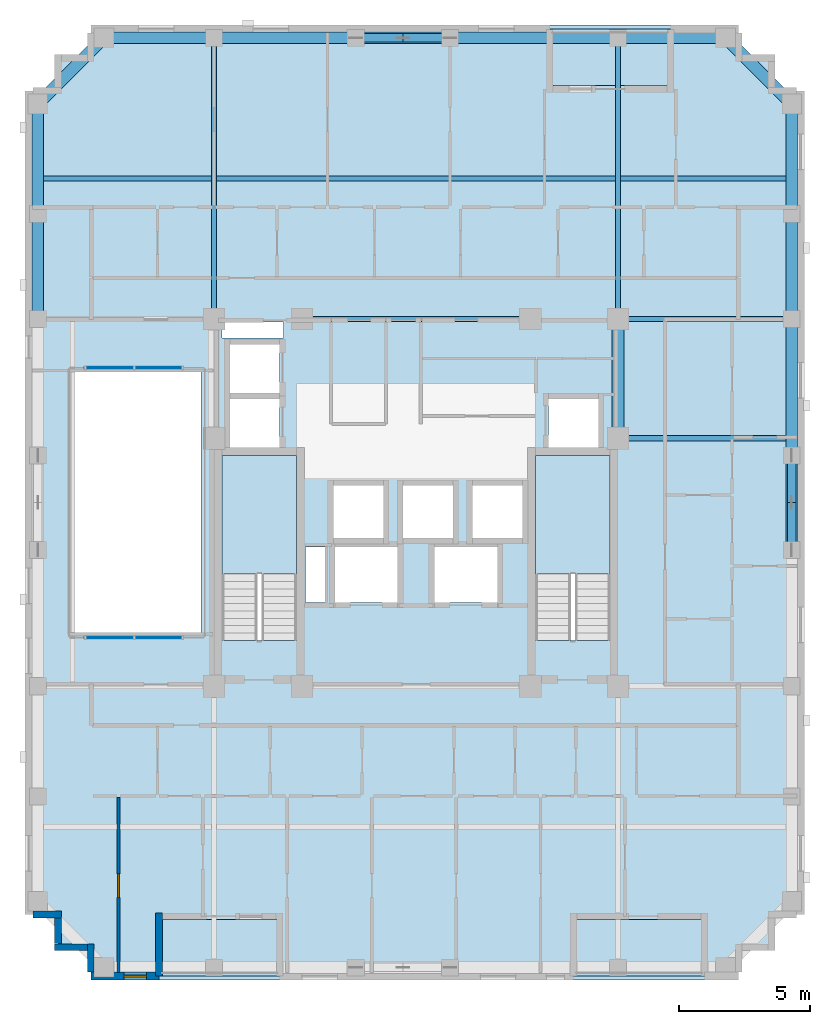
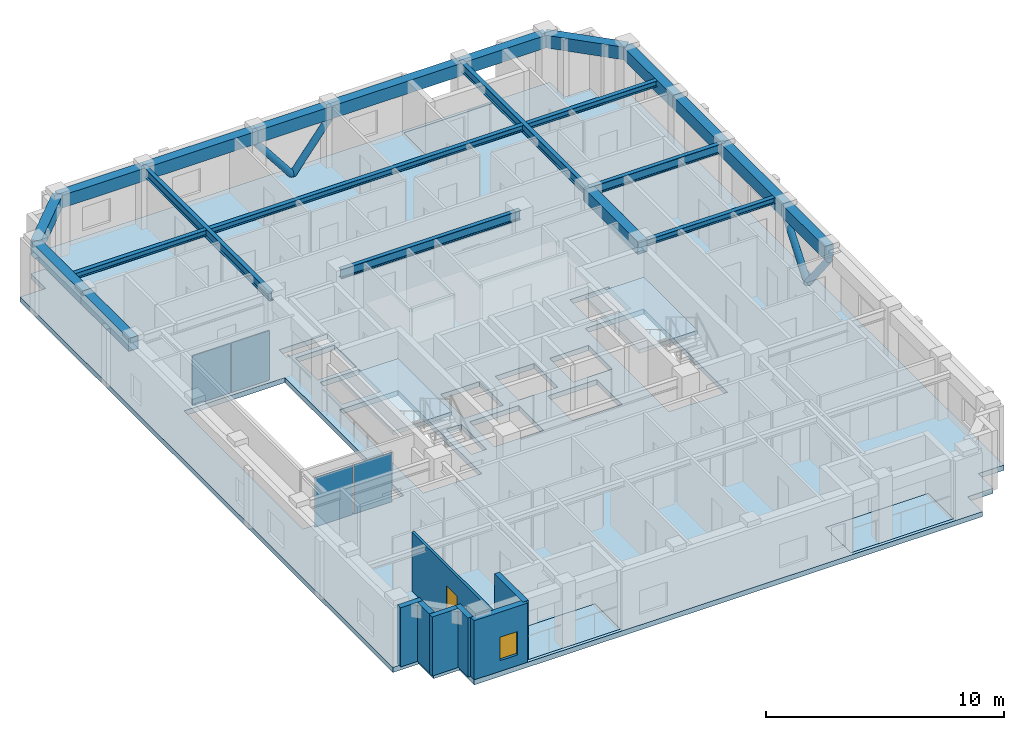
# One storey, part 3 of 13: 22 beams, 7 walls, 6 slabs, 4 members, 4 plates, 1 door, 1 window, 2 openings, 4 elements without a shape of their own.
"""IFC4 building model written with IfcOpenShell, lengths in metres."""

from ifc_helpers import new_model, si_unit, derived_unit, direction, frame, frame_2d, origin, origin_2d, place, context, subcontext, project, spatial, polyline, rectangle, hollow_circle, i_section, outline, extrude, material, layer, layer_set, material_profile, profile_set, type_object, element, fill, aggregate, save


model = new_model("IFC4")

# Units and contexts
model_context = context("Model", 3, precision=1e-05, world=origin(), true_north=direction((0.0, 1.0)))
body_context = subcontext(model_context, "Body", "Model", "MODEL_VIEW")
ifc_project = project(units=[si_unit("LENGTHUNIT", "METRE"), si_unit("AREAUNIT", "SQUARE_METRE"), si_unit("VOLUMEUNIT", "CUBIC_METRE"), si_unit("PLANEANGLEUNIT", "RADIAN"), si_unit("MASSUNIT", "GRAM", prefix="KILO"), derived_unit("THERMALTRANSMITTANCEUNIT", [(si_unit("MASSUNIT", "GRAM", prefix="KILO"), 1), (si_unit("TIMEUNIT", "SECOND"), -3), (si_unit("THERMODYNAMICTEMPERATUREUNIT", "KELVIN"), -1)])], contexts=[model_context])

# Site, building, storey
site_placement = place(None, origin())
site = spatial("IfcSite", under=ifc_project, at=site_placement, CompositionType="ELEMENT")
building_placement = place(site_placement, origin())
building = spatial("IfcBuilding", under=site, at=building_placement, Name="Korrvale Station Residences", CompositionType="ELEMENT")
storey_placement = place(building_placement, frame((0.0, 0.0, 177.699951171875)))
storey = spatial("IfcBuildingStorey", under=building, at=storey_placement, Name="L51", CompositionType="ELEMENT", Elevation=177.699951171875)

# Beams
ifc_material_1 = material(Name="Steel S355", Category="steel")
ifc_material_profile_1 = material_profile(ifc_material_1, i_section(OverallWidth=0.194091796875, OverallDepth=0.468994140625, WebThickness=0.0126953125, FlangeThickness=0.0205078125, FilletRadius=0.01611328125, at=origin_2d()), Name="W460x106")
ifc_profile_set_1 = profile_set([ifc_material_profile_1], Name="Steel S355")
beam_type_1 = type_object("IfcBeamType", Name="BM-BM-W460x106-S355", PredefinedType="BEAM", material=ifc_profile_set_1)
for number, where, z_axis, x_axis, name in (
    (1, (17.800048828125, 29.0, 2.8056640625), (0.0, 1.0, 0.0), (-1.0, 0.0, 0.0), "L51 Bundled-Tube Web Girder 03"),
    (2, (33.199951171875, 29.0, 2.8056640625), (0.0, 1.0, 0.0), (-1.0, 0.0, 0.0), "L51 Bundled-Tube Web Girder 04"),
):
    element("IfcBeam", number, at=place(storey_placement, frame(where, z_axis=z_axis, x_axis=x_axis)), inside=storey, type_object=beam_type_1, Name=name, PredefinedType="BEAM", context=body_context, shape_type="SweptSolid", body=[
        extrude(i_section(OverallWidth=0.194091796875, OverallDepth=0.468994140625, WebThickness=0.0126953125, FlangeThickness=0.0205078125, FilletRadius=0.01611328125, at=origin_2d()), origin(), (0.0, 0.0, 1.0), 10.719970703125),
    ])
beam_1_placement = place(storey_placement, frame((33.199951171875, 29.0, 2.8056640625), z_axis=(1.0, 0.0, 0.0), x_axis=(0.0, 1.0, 0.0)))
element("IfcBeam", 3, at=beam_1_placement, inside=storey, type_object=beam_type_1, Name="L51 Bundled-Tube Web Girder 08", PredefinedType="BEAM", context=body_context, shape_type="SweptSolid", body=[
    extrude(i_section(OverallWidth=0.194091796875, OverallDepth=0.468994140625, WebThickness=0.0126953125, FlangeThickness=0.0205078125, FilletRadius=0.01611328125, at=origin_2d()), origin(), (0.0, 0.0, 1.0), 6.6201171875),
])
beam_2_placement = place(storey_placement, frame((21.14990234375, 29.0, 2.8056640625), z_axis=(1.0, 0.0, 0.0), x_axis=(0.0, 1.0, 0.0)))
element("IfcBeam", 4, at=beam_2_placement, inside=storey, type_object=beam_type_1, Name="L51 Bundled-Tube Web Girder 10", PredefinedType="BEAM", context=body_context, shape_type="SweptSolid", body=[
    extrude(i_section(OverallWidth=0.194091796875, OverallDepth=0.468994140625, WebThickness=0.0126953125, FlangeThickness=0.0205078125, FilletRadius=0.01611328125, at=origin_2d()), origin(), (0.0, 0.0, 1.0), 8.7001953125),
])
ifc_material_profile_2 = material_profile(ifc_material_1, i_section(OverallWidth=0.202880859375, OverallDepth=0.302978515625, WebThickness=0.007568359375, FlangeThickness=0.01318359375, FilletRadius=0.014892578125, at=origin_2d()), Name="W310x60")
ifc_profile_set_2 = profile_set([ifc_material_profile_2], Name="Steel S355")
beam_type_2 = type_object("IfcBeamType", Name="BM-JST-W310x60-S355", PredefinedType="JOIST", material=ifc_profile_set_2)
beam_3_placement = place(storey_placement, frame((11.304931640625, 34.360107421875, 2.888427734375), z_axis=(1.0, 0.0, 0.0), x_axis=(0.0, 1.0, 0.0)))
element("IfcBeam", 5, at=beam_3_placement, inside=storey, type_object=beam_type_2, Name="L51 Floor Framing Joist 04", PredefinedType="JOIST", context=body_context, shape_type="SweptSolid", body=[
    extrude(i_section(OverallWidth=0.202880859375, OverallDepth=0.302978515625, WebThickness=0.007568359375, FlangeThickness=0.01318359375, FilletRadius=0.014892578125, at=origin_2d()), origin(), (0.0, 0.0, 1.0), 6.39794921875),
])
beam_4_placement = place(storey_placement, frame((17.89697265625, 34.360107421875, 2.888427734375), z_axis=(1.0, 0.0, 0.0), x_axis=(0.0, 1.0, 0.0)))
element("IfcBeam", 6, at=beam_4_placement, inside=storey, type_object=beam_type_2, Name="L51 Floor Framing Joist 05", PredefinedType="JOIST", context=body_context, shape_type="SweptSolid", body=[
    extrude(i_section(OverallWidth=0.202880859375, OverallDepth=0.302978515625, WebThickness=0.007568359375, FlangeThickness=0.01318359375, FilletRadius=0.014892578125, at=origin_2d()), origin(), (0.0, 0.0, 1.0), 15.2060546875),
])
beam_5_placement = place(storey_placement, frame((33.297119140625, 34.360107421875, 2.888427734375), z_axis=(1.0, 0.0, 0.0), x_axis=(0.0, 1.0, 0.0)))
element("IfcBeam", 7, at=beam_5_placement, inside=storey, type_object=beam_type_2, Name="L51 Floor Framing Joist 06", PredefinedType="JOIST", context=body_context, shape_type="SweptSolid", body=[
    extrude(i_section(OverallWidth=0.202880859375, OverallDepth=0.302978515625, WebThickness=0.007568359375, FlangeThickness=0.01318359375, FilletRadius=0.014892578125, at=origin_2d()), origin(), (0.0, 0.0, 1.0), 6.2978515625),
])
beam_6_placement = place(storey_placement, frame((33.425048828125, 24.449951171875, 2.888427734375), z_axis=(1.0, 0.0, 0.0), x_axis=(0.0, 1.0, 0.0)))
element("IfcBeam", 8, at=beam_6_placement, inside=storey, type_object=beam_type_2, Name="L51 Floor Framing Joist 07", PredefinedType="JOIST", context=body_context, shape_type="SweptSolid", body=[
    extrude(i_section(OverallWidth=0.202880859375, OverallDepth=0.302978515625, WebThickness=0.007568359375, FlangeThickness=0.01318359375, FilletRadius=0.014892578125, at=origin_2d()), origin(), (0.0, 0.0, 1.0), 6.169921875),
])
ifc_material_2 = material(Name="Concrete C50/60", Category="concrete")
ifc_material_profile_3 = material_profile(ifc_material_2, rectangle(XDim=0.449951171875, YDim=0.64990234375, at=origin_2d()), Name="RCB450x650")
ifc_profile_set_3 = profile_set([ifc_material_profile_3], Name="Concrete C50/60")
beam_type_3 = type_object("IfcBeamType", Name="BM-LNT-RCB450x650-C5060", PredefinedType="LINTEL", material=ifc_profile_set_3)
beam_7_placement = place(storey_placement, frame((33.199951171875, 24.449951171875, 2.715087890625), z_axis=(0.0, 1.0, 0.0), x_axis=(-1.0, 0.0, 0.0)))
element("IfcBeam", 9, at=beam_7_placement, inside=storey, type_object=beam_type_3, Name="L51 Core Coupling Lintel 2", PredefinedType="LINTEL", context=body_context, shape_type="SweptSolid", body=[
    extrude(rectangle(XDim=0.449951171875, YDim=0.64990234375, at=origin_2d()), origin(), (0.0, 0.0, 1.0), 4.550048828125),
])
ifc_material_profile_4 = material_profile(ifc_material_2, rectangle(XDim=0.449951171875, YDim=0.64990234375, at=origin_2d()), Name="RCB450x650")
ifc_profile_set_4 = profile_set([ifc_material_profile_4], Name="Concrete C50/60")
beam_type_4 = type_object("IfcBeamType", Name="BM-SPB-RCB450x650-C5060", PredefinedType="SPANDREL", material=ifc_profile_set_4)
beam_8_placement = place(storey_placement, frame((13.60009765625, 39.719970703125, 2.715087890625), z_axis=(1.0, 0.0, 0.0), x_axis=(0.0, 1.0, 0.0)))
element("IfcBeam", 10, at=beam_8_placement, inside=storey, type_object=beam_type_4, Name="L51 North Tube Spandrel 06", PredefinedType="SPANDREL", context=body_context, shape_type="SweptSolid", body=[
    extrude(rectangle(XDim=0.449951171875, YDim=0.64990234375, at=origin_2d()), origin(), (0.0, 0.0, 1.0), 4.199951171875),
])
beam_9_placement = place(storey_placement, frame((17.800048828125, 39.719970703125, 2.715087890625), z_axis=(1.0, 0.0, 0.0), x_axis=(0.0, 1.0, 0.0)))
element("IfcBeam", 11, at=beam_9_placement, inside=storey, type_object=beam_type_4, Name="L51 North Tube Spandrel 07", PredefinedType="SPANDREL", context=body_context, shape_type="SweptSolid", body=[
    extrude(rectangle(XDim=0.449951171875, YDim=0.64990234375, at=origin_2d()), origin(), (0.0, 0.0, 1.0), 5.39990234375),
])
beam_10_placement = place(storey_placement, frame((23.199951171875, 39.719970703125, 2.715087890625), z_axis=(1.0, 0.0, 0.0), x_axis=(0.0, 1.0, 0.0)))
element("IfcBeam", 12, at=beam_10_placement, inside=storey, type_object=beam_type_4, Name="L51 North Tube Spandrel 08", PredefinedType="SPANDREL", context=body_context, shape_type="SweptSolid", body=[
    extrude(rectangle(XDim=0.449951171875, YDim=0.64990234375, at=origin_2d()), origin(), (0.0, 0.0, 1.0), 3.60009765625),
])
beam_11_placement = place(storey_placement, frame((26.800048828125, 39.719970703125, 2.715087890625), z_axis=(1.0, 0.0, 0.0), x_axis=(0.0, 1.0, 0.0)))
element("IfcBeam", 13, at=beam_11_placement, inside=storey, type_object=beam_type_4, Name="L51 North Tube Spandrel 09", PredefinedType="SPANDREL", context=body_context, shape_type="SweptSolid", body=[
    extrude(rectangle(XDim=0.449951171875, YDim=0.64990234375, at=origin_2d()), origin(), (0.0, 0.0, 1.0), 6.39990234375),
])
beam_12_placement = place(storey_placement, frame((33.199951171875, 39.719970703125, 2.715087890625), z_axis=(1.0, 0.0, 0.0), x_axis=(0.0, 1.0, 0.0)))
element("IfcBeam", 14, at=beam_12_placement, inside=storey, type_object=beam_type_4, Name="L51 North Tube Spandrel 10", PredefinedType="SPANDREL", context=body_context, shape_type="SweptSolid", body=[
    extrude(rectangle(XDim=0.449951171875, YDim=0.64990234375, at=origin_2d()), origin(), (0.0, 0.0, 1.0), 4.10009765625),
])
beam_13_placement = place(storey_placement, frame((11.080078125, 29.0, 2.715087890625), z_axis=(0.0, 1.0, 0.0), x_axis=(-1.0, 0.0, 0.0)))
element("IfcBeam", 15, at=beam_13_placement, inside=storey, type_object=beam_type_4, Name="L51 West Tube Spandrel 16", PredefinedType="SPANDREL", context=body_context, shape_type="SweptSolid", body=[
    extrude(rectangle(XDim=0.449951171875, YDim=0.64990234375, at=origin_2d()), origin(), (0.0, 0.0, 1.0), 4.0),
])
beam_14_placement = place(storey_placement, frame((11.080078125, 33.0, 2.715087890625), z_axis=(0.0, 1.0, 0.0), x_axis=(-1.0, 0.0, 0.0)))
element("IfcBeam", 16, at=beam_14_placement, inside=storey, type_object=beam_type_4, Name="L51 West Tube Spandrel 17", PredefinedType="SPANDREL", context=body_context, shape_type="SweptSolid", body=[
    extrude(rectangle(XDim=0.449951171875, YDim=0.64990234375, at=origin_2d()), origin(), (0.0, 0.0, 1.0), 4.199951171875),
])
beam_15_placement = place(storey_placement, frame((39.820068359375, 20.199951171875, 2.715087890625), z_axis=(0.0, 1.0, 0.0), x_axis=(-1.0, 0.0, 0.0)))
element("IfcBeam", 17, at=beam_15_placement, inside=storey, type_object=beam_type_4, Name="L51 East Tube Spandrel 21", PredefinedType="SPANDREL", context=body_context, shape_type="SweptSolid", body=[
    extrude(rectangle(XDim=0.449951171875, YDim=0.64990234375, at=origin_2d()), origin(), (0.0, 0.0, 1.0), 3.60009765625),
])
beam_16_placement = place(storey_placement, frame((39.820068359375, 23.800048828125, 2.715087890625), z_axis=(0.0, 1.0, 0.0), x_axis=(-1.0, 0.0, 0.0)))
element("IfcBeam", 18, at=beam_16_placement, inside=storey, type_object=beam_type_4, Name="L51 East Tube Spandrel 22", PredefinedType="SPANDREL", context=body_context, shape_type="SweptSolid", body=[
    extrude(rectangle(XDim=0.449951171875, YDim=0.64990234375, at=origin_2d()), origin(), (0.0, 0.0, 1.0), 5.199951171875),
])
beam_17_placement = place(storey_placement, frame((39.820068359375, 29.0, 2.715087890625), z_axis=(0.0, 1.0, 0.0), x_axis=(-1.0, 0.0, 0.0)))
element("IfcBeam", 19, at=beam_17_placement, inside=storey, type_object=beam_type_4, Name="L51 East Tube Spandrel 23", PredefinedType="SPANDREL", context=body_context, shape_type="SweptSolid", body=[
    extrude(rectangle(XDim=0.449951171875, YDim=0.64990234375, at=origin_2d()), origin(), (0.0, 0.0, 1.0), 4.0),
])
beam_18_placement = place(storey_placement, frame((39.820068359375, 33.0, 2.715087890625), z_axis=(0.0, 1.0, 0.0), x_axis=(-1.0, 0.0, 0.0)))
element("IfcBeam", 20, at=beam_18_placement, inside=storey, type_object=beam_type_4, Name="L51 East Tube Spandrel 24", PredefinedType="SPANDREL", context=body_context, shape_type="SweptSolid", body=[
    extrude(rectangle(XDim=0.449951171875, YDim=0.64990234375, at=origin_2d()), origin(), (0.0, 0.0, 1.0), 4.199951171875),
])
for number, where, z_axis, x_axis, name in (
    (21, (37.300048828125, 39.719970703125, 2.715087890625), (0.707106781187, -0.707106781187, 0.0), (0.707106781187, 0.707106781187, 0.0), "L51 Serrated Corner Spandrel 27"),
    (22, (13.60009765625, 39.719970703125, 2.715087890625), (-0.707106781187, -0.707106781187, 0.0), (0.707106781187, -0.707106781187, 0.0), "L51 Serrated Corner Spandrel 28"),
):
    element("IfcBeam", number, at=place(storey_placement, frame(where, z_axis=z_axis, x_axis=x_axis)), inside=storey, type_object=beam_type_4, Name=name, PredefinedType="SPANDREL", context=body_context, shape_type="SweptSolid", body=[
        extrude(rectangle(XDim=0.449951171875, YDim=0.64990234375, at=origin_2d()), origin(), (0.0, 0.0, 1.0), 3.56396484375),
    ])

# Members
ifc_material_profile_5 = material_profile(ifc_material_1, hollow_circle(Radius=0.161865234375, WallThickness=0.015869140625, at=origin_2d()), Name="HSS324x16")
ifc_profile_set_5 = profile_set([ifc_material_profile_5], Name="Steel S355")
member_type = type_object("IfcMemberType", Name="MBR-BR-HSS324x16", PredefinedType="BRACE", material=ifc_profile_set_5)
for number, where, z_axis, x_axis, name in (
    (23, (25.0, 39.719970703125, 0.02001953125), (-0.617977009695, 0.0, 0.786196168579), (0.0, -1.0, 0.0), "L51 N Perimeter Tube Wind Brace 1"),
    (24, (25.0, 39.719970703125, 0.02001953125), (0.617977009695, 0.0, 0.786196168579), (0.0, 1.0, 0.0), "L51 N Perimeter Tube Wind Brace 2"),
    (25, (39.820068359375, 22.0, 0.02001953125), (0.0, -0.617977009695, 0.786196168579), (1.0, 0.0, 0.0), "L51 E Perimeter Tube Wind Brace 1"),
    (26, (39.820068359375, 22.0, 0.02001953125), (0.0, 0.617977009695, 0.786196168579), (-1.0, 0.0, 0.0), "L51 E Perimeter Tube Wind Brace 2"),
):
    element("IfcMember", number, at=place(storey_placement, frame(where, z_axis=z_axis, x_axis=x_axis)), inside=storey, type_object=member_type, Name=name, PredefinedType="BRACE", context=body_context, shape_type="SweptSolid", body=[
        extrude(hollow_circle(Radius=0.161865234375, WallThickness=0.015869140625, at=origin_2d()), origin(), (0.0, 0.0, 1.0), 2.912841796875),
    ])

# Curtain wall, plates
ifc_material_3 = material(Name="Unitised thermally broken aluminium curtain wall with triple low-e IGU", Category="aluminium")
curtain_wall_type = type_object("IfcCurtainWallType", Name="CW-ATR-UPP", PredefinedType="NOTDEFINED", material=ifc_material_3)
curtain_wall_1_placement = place(storey_placement, origin())
curtain_wall_1 = element("IfcCurtainWall", 27, at=curtain_wall_1_placement, inside=storey, type_object=curtain_wall_type, Name="L51 Curtain Wall CW5-RUN-1", PredefinedType="NOTDEFINED")
ifc_material_4 = material(Name="Triple-glazed low-e argon insulated glass unit", Category="glass")
ifc_layer_1 = layer(ifc_material_4, 0.035888671875, Name="Triple-glazed low-e argon insulated glass unit")
ifc_layer_set_1 = layer_set([ifc_layer_1], Name="Triple-glazed low-e argon insulated glass unit")
plate_type = type_object("IfcPlateType", Name="CW-ATR-UPP-P", PredefinedType="CURTAIN_PANEL", material=ifc_layer_set_1)
plate_1_placement = place(storey_placement, frame((13.800048828125, 16.85009765625, 0.027587890625), z_axis=(0.0, 0.0, 1.0), x_axis=(1.0, 0.0, 0.0)))
plate_1 = element("IfcPlate", 28, at=plate_1_placement, type_object=plate_type, Name="CW-ATR-UPP Glazing Panel 1-1", PredefinedType="CURTAIN_PANEL", context=body_context, shape_type="SweptSolid", body=[
    extrude(rectangle(XDim=1.844970703125, YDim=0.035888671875, at=origin_2d()), origin(), (0.0, 0.0, 1.0), 2.544921875),
])
plate_2_placement = place(storey_placement, frame((15.699951171875, 16.85009765625, 0.027587890625), z_axis=(0.0, 0.0, 1.0), x_axis=(1.0, 0.0, 0.0)))
plate_2 = element("IfcPlate", 29, at=plate_2_placement, type_object=plate_type, Name="CW-ATR-UPP Glazing Panel 2-1", PredefinedType="CURTAIN_PANEL", context=body_context, shape_type="SweptSolid", body=[
    extrude(rectangle(XDim=1.844970703125, YDim=0.035888671875, at=origin_2d()), origin(), (0.0, 0.0, 1.0), 2.544921875),
])
aggregate(curtain_wall_1, [plate_1, plate_2])

curtain_wall_2_placement = place(storey_placement, origin())
curtain_wall_2 = element("IfcCurtainWall", 30, at=curtain_wall_2_placement, inside=storey, type_object=curtain_wall_type, Name="L51 Curtain Wall CW5-RUN-2", PredefinedType="NOTDEFINED")
plate_3_placement = place(storey_placement, frame((13.800048828125, 27.14990234375, 0.027587890625), z_axis=(0.0, 0.0, 1.0), x_axis=(1.0, 0.0, 0.0)))
plate_3 = element("IfcPlate", 31, at=plate_3_placement, type_object=plate_type, Name="CW-ATR-UPP Glazing Panel 1-1", PredefinedType="CURTAIN_PANEL", context=body_context, shape_type="SweptSolid", body=[
    extrude(rectangle(XDim=1.844970703125, YDim=0.035888671875, at=origin_2d()), origin(), (0.0, 0.0, 1.0), 2.544921875),
])
plate_4_placement = place(storey_placement, frame((15.699951171875, 27.14990234375, 0.027587890625), z_axis=(0.0, 0.0, 1.0), x_axis=(1.0, 0.0, 0.0)))
plate_4 = element("IfcPlate", 32, at=plate_4_placement, type_object=plate_type, Name="CW-ATR-UPP Glazing Panel 2-1", PredefinedType="CURTAIN_PANEL", context=body_context, shape_type="SweptSolid", body=[
    extrude(rectangle(XDim=1.844970703125, YDim=0.035888671875, at=origin_2d()), origin(), (0.0, 0.0, 1.0), 2.544921875),
])
aggregate(curtain_wall_2, [plate_3, plate_4])

# Slabs
ifc_layer_2 = layer(ifc_material_2, 0.219970703125, Name="Concrete C50/60")
ifc_layer_set_2 = layer_set([ifc_layer_2], Name="Concrete C50/60")
slab_type_1 = type_object("IfcSlabType", Name="SLB-BAL-220", PredefinedType="FLOOR", material=ifc_layer_set_2)
slab_1_placement = place(storey_placement, frame((0.0, 0.0, -0.219970703125)))
element("IfcSlab", 33, at=slab_1_placement, inside=storey, type_object=slab_type_1, Name="L51 Recessed Loggia Balcony Slab BAL-L51-S1", PredefinedType="FLOOR", context=body_context, shape_type="SweptSolid", body=[
    extrude(outline(polyline([(15.699951171875, 3.949951171875), (20.300048828125, 3.949951171875), (20.300048828125, 6.10009765625), (15.699951171875, 6.10009765625), (15.699951171875, 3.949951171875)])), origin(), (0.0, 0.0, 1.0), 0.219970703125),
])
slab_2_placement = place(storey_placement, frame((0.0, 0.0, -0.219970703125)))
element("IfcSlab", 34, at=slab_2_placement, inside=storey, type_object=slab_type_1, Name="L51 Recessed Loggia Balcony Slab BAL-L51-N1", PredefinedType="FLOOR", context=body_context, shape_type="SweptSolid", body=[
    extrude(outline(polyline([(30.60009765625, 37.89990234375), (35.199951171875, 37.89990234375), (35.199951171875, 40.050048828125), (30.60009765625, 40.050048828125), (30.60009765625, 37.89990234375)])), origin(), (0.0, 0.0, 1.0), 0.219970703125),
])
slab_3_placement = place(storey_placement, frame((0.0, 0.0, -0.219970703125)))
element("IfcSlab", 35, at=slab_3_placement, inside=storey, type_object=slab_type_1, Name="L51 Recessed Loggia Balcony Slab BAL-L51-S2", PredefinedType="FLOOR", context=body_context, shape_type="SweptSolid", body=[
    extrude(outline(polyline([(31.5, 3.949951171875), (36.5, 3.949951171875), (36.5, 6.10009765625), (31.5, 6.10009765625), (31.5, 3.949951171875)])), origin(), (0.0, 0.0, 1.0), 0.219970703125),
])
ifc_layer_3 = layer(ifc_material_2, 0.260009765625, Name="Concrete C50/60")
ifc_layer_set_3 = layer_set([ifc_layer_3], Name="Concrete C50/60")
slab_type_2 = type_object("IfcSlabType", Name="SLB-FLR-260", PredefinedType="FLOOR", material=ifc_layer_set_3)
slab_4_placement = place(storey_placement, frame((0.0, 0.0, -0.260009765625)))
element("IfcSlab", 36, at=slab_4_placement, inside=storey, type_object=slab_type_2, Name="L51 Suspended Structural Floor Slab", PredefinedType="FLOOR", context=body_context, shape_type="SweptSolid", body=[
    extrude(outline(polyline([(13.10009765625, 3.800048828125), (37.800048828125, 3.800048828125), (37.800048828125, 5.050048828125), (39.050048828125, 5.050048828125), (39.050048828125, 6.300048828125), (40.300048828125, 6.300048828125), (40.300048828125, 37.699951171875), (39.050048828125, 37.699951171875), (39.050048828125, 38.949951171875), (37.800048828125, 38.949951171875), (37.800048828125, 40.199951171875), (13.10009765625, 40.199951171875), (13.10009765625, 38.949951171875), (11.85009765625, 38.949951171875), (11.85009765625, 37.699951171875), (10.60009765625, 37.699951171875), (10.60009765625, 6.300048828125), (11.85009765625, 6.300048828125), (11.85009765625, 5.050048828125), (13.10009765625, 5.050048828125), (13.10009765625, 3.800048828125)]), holes=[polyline([(20.949951171875, 16.751953125), (20.949951171875, 23.800048828125), (18.10009765625, 23.800048828125), (18.10009765625, 16.751953125), (20.949951171875, 16.751953125)]), polyline([(32.89990234375, 16.751953125), (32.89990234375, 23.800048828125), (30.050048828125, 23.800048828125), (30.050048828125, 16.751953125), (32.89990234375, 16.751953125)]), polyline([(12.39990234375, 17.0), (17.300048828125, 17.0), (17.300048828125, 27.0), (12.39990234375, 27.0), (12.39990234375, 17.0)]), polyline([(22.35009765625, 20.64990234375), (24.25, 20.64990234375), (24.25, 22.64990234375), (22.35009765625, 22.64990234375), (22.35009765625, 20.64990234375)]), polyline([(25.0, 20.64990234375), (26.89990234375, 20.64990234375), (26.89990234375, 22.64990234375), (25.0, 22.64990234375), (25.0, 20.64990234375)]), polyline([(27.64990234375, 20.64990234375), (29.550048828125, 20.64990234375), (29.550048828125, 22.64990234375), (27.64990234375, 22.64990234375), (27.64990234375, 20.64990234375)]), polyline([(18.39990234375, 24.10009765625), (20.300048828125, 24.10009765625), (20.300048828125, 25.949951171875), (18.39990234375, 25.949951171875), (18.39990234375, 24.10009765625)]), polyline([(18.39990234375, 26.169921875), (20.300048828125, 26.169921875), (20.300048828125, 28.02001953125), (18.39990234375, 28.02001953125), (18.39990234375, 26.169921875)]), polyline([(30.550048828125, 24.10009765625), (32.449951171875, 24.10009765625), (32.449951171875, 25.949951171875), (30.550048828125, 25.949951171875), (30.550048828125, 24.10009765625)]), polyline([(22.39990234375, 18.199951171875), (24.800048828125, 18.199951171875), (24.800048828125, 20.300048828125), (22.39990234375, 20.300048828125), (22.39990234375, 18.199951171875)]), polyline([(26.199951171875, 18.199951171875), (28.60009765625, 18.199951171875), (28.60009765625, 20.300048828125), (26.199951171875, 20.300048828125), (26.199951171875, 18.199951171875)]), polyline([(18.10009765625, 28.280029296875), (20.449951171875, 28.280029296875), (20.449951171875, 28.8798828125), (18.10009765625, 28.8798828125), (18.10009765625, 28.280029296875)]), polyline([(21.280029296875, 18.199951171875), (22.02001953125, 18.199951171875), (22.02001953125, 20.300048828125), (21.280029296875, 20.300048828125), (21.280029296875, 18.199951171875)]), polyline([(15.699951171875, 3.949951171875), (20.300048828125, 3.949951171875), (20.300048828125, 6.10009765625), (15.699951171875, 6.10009765625), (15.699951171875, 3.949951171875)]), polyline([(30.60009765625, 37.89990234375), (35.199951171875, 37.89990234375), (35.199951171875, 40.050048828125), (30.60009765625, 40.050048828125), (30.60009765625, 37.89990234375)]), polyline([(31.5, 3.949951171875), (36.5, 3.949951171875), (36.5, 6.10009765625), (31.5, 6.10009765625), (31.5, 3.949951171875)])]), origin(), (0.0, 0.0, 1.0), 0.260009765625),
])

# Stair, slab
stair_type = type_object("IfcStairType", Name="STR-DL-1350-20R-1650", PredefinedType="HALF_TURN_STAIR", material=ifc_material_2)
stair_1_placement = place(storey_placement, origin())
stair_1 = element("IfcStair", 37, at=stair_1_placement, inside=storey, type_object=stair_type, Name="L51 Exit Stair 1", PredefinedType="HALF_TURN_STAIR")
ifc_layer_4 = layer(ifc_material_2, 0.199951171875, Name="Concrete C50/60")
ifc_layer_set_4 = layer_set([ifc_layer_4], Name="Concrete C50/60")
slab_type_3 = type_object("IfcSlabType", Name="SLB-LND-200", PredefinedType="LANDING", material=ifc_layer_set_4)
slab_5_placement = place(storey_placement, frame((0.0, 0.0, 1.449951171875)))
slab_5 = element("IfcSlab", 38, at=slab_5_placement, type_object=slab_type_3, Name="ST-1 landing 1", PredefinedType="LANDING", context=body_context, shape_type="SweptSolid", body=[
    extrude(outline(polyline([(20.949951171875, 19.27001953125), (20.949951171875, 23.800048828125), (18.10009765625, 23.800048828125), (18.10009765625, 19.27001953125), (20.949951171875, 19.27001953125)])), origin(), (0.0, 0.0, 1.0), 0.2001953125),
])
aggregate(stair_1, [slab_5])

stair_2_placement = place(storey_placement, origin())
stair_2 = element("IfcStair", 39, at=stair_2_placement, inside=storey, type_object=stair_type, Name="L51 Exit Stair 2", PredefinedType="HALF_TURN_STAIR")
slab_6_placement = place(storey_placement, frame((0.0, 0.0, 1.449951171875)))
slab_6 = element("IfcSlab", 40, at=slab_6_placement, type_object=slab_type_3, Name="ST-2 landing 1", PredefinedType="LANDING", context=body_context, shape_type="SweptSolid", body=[
    extrude(outline(polyline([(32.89990234375, 19.27001953125), (32.89990234375, 23.800048828125), (30.050048828125, 23.800048828125), (30.050048828125, 19.27001953125), (32.89990234375, 19.27001953125)])), origin(), (0.0, 0.0, 1.0), 0.2001953125),
])
aggregate(stair_2, [slab_6])

# Walls
ifc_material_5 = material(Name="Precast concrete C45/55", Category="concrete")
ifc_layer_5 = layer(ifc_material_5, 0.260009765625, Name="Precast concrete C45/55")
ifc_layer_set_5 = layer_set([ifc_layer_5], Name="Precast concrete C45/55")
wall_type_1 = type_object("IfcWallType", Name="WAL-EXT-LOG260", PredefinedType="SOLIDWALL", material=ifc_layer_set_5)
wall_1_placement = place(storey_placement, frame((15.699951171875, 6.360107421875, 0.0), z_axis=(0.0, 0.0, 1.0), x_axis=(0.0, -1.0, 0.0)))
element("IfcWall", 41, at=wall_1_placement, inside=storey, type_object=wall_type_1, Name="L51 Recessed Loggia Wall BAL-L51-S1-R", PredefinedType="SOLIDWALL", context=body_context, shape_type="SweptSolid", body=[
    extrude(rectangle(XDim=2.400146484375, YDim=0.260009765625, at=frame_2d((1.2001953125, 0.0))), origin(), (0.0, 0.0, 1.0), 3.0400390625),
])
wall_2_placement = place(storey_placement, frame((13.10009765625, 4.10205078125, 0.0), z_axis=(0.0, 0.0, 1.0), x_axis=(0.0, 1.0, 0.0)))
element("IfcWall", 42, at=wall_2_placement, inside=storey, type_object=wall_type_1, Name="L51 Serrated Corner Precast Step SW-1", PredefinedType="SOLIDWALL", context=body_context, shape_type="SweptSolid", body=[
    extrude(rectangle(XDim=1.077880859375, YDim=0.260009765625, at=frame_2d((0.5390625, 0.0))), origin(), (0.0, 0.0, 1.0), 3.0400390625),
])
wall_3_placement = place(storey_placement, frame((12.968017578125, 5.050048828125, 0.0), z_axis=(0.0, 0.0, 1.0), x_axis=(-1.0, 0.0, 0.0)))
element("IfcWall", 43, at=wall_3_placement, inside=storey, type_object=wall_type_1, Name="L51 Serrated Corner Precast Step SW-2", PredefinedType="SOLIDWALL", context=body_context, shape_type="SweptSolid", body=[
    extrude(rectangle(XDim=1.248046875, YDim=0.260009765625, at=frame_2d((0.6240234375, 0.0))), origin(), (0.0, 0.0, 1.0), 3.0400390625),
])
wall_4_placement = place(storey_placement, frame((11.85009765625, 5.181884765625, 0.0), z_axis=(0.0, 0.0, 1.0), x_axis=(0.0, 1.0, 0.0)))
element("IfcWall", 44, at=wall_4_placement, inside=storey, type_object=wall_type_1, Name="L51 Serrated Corner Precast Step SW-3", PredefinedType="SOLIDWALL", context=body_context, shape_type="SweptSolid", body=[
    extrude(rectangle(XDim=0.986083984375, YDim=0.260009765625, at=frame_2d((0.4931640625, 0.0))), origin(), (0.0, 0.0, 1.0), 3.0400390625),
])
wall_5_placement = place(storey_placement, frame((11.97998046875, 6.300048828125, 0.0), z_axis=(0.0, 0.0, 1.0), x_axis=(-1.0, 0.0, 0.0)))
element("IfcWall", 45, at=wall_5_placement, inside=storey, type_object=wall_type_1, Name="L51 Serrated Corner Precast Step SW-4", PredefinedType="SOLIDWALL", context=body_context, shape_type="SweptSolid", body=[
    extrude(rectangle(XDim=1.077880859375, YDim=0.260009765625, at=frame_2d((0.5390625, 0.0))), origin(), (0.0, 0.0, 1.0), 3.0400390625),
])

# Wall, opening, window
ifc_layer_6 = layer(ifc_material_5, 0.300048828125, Name="Precast concrete C45/55")
ifc_layer_set_6 = layer_set([ifc_layer_6], Name="Precast concrete C45/55")
wall_type_2 = type_object("IfcWallType", Name="WAL-EXT-PC300", PredefinedType="SOLIDWALL", material=ifc_layer_set_6)
wall_6_placement = place(storey_placement, frame((15.699951171875, 3.949951171875, 0.0), z_axis=(0.0, 0.0, 1.0), x_axis=(-1.0, 0.0, 0.0)))
wall_6 = element("IfcWall", 46, at=wall_6_placement, inside=storey, type_object=wall_type_2, Name="L51 South Exterior Precast Wall 3", PredefinedType="SOLIDWALL", context=body_context, shape_type="SweptSolid", body=[
    extrude(rectangle(XDim=2.599853515625, YDim=0.300048828125, at=frame_2d((1.2998046875, 0.0))), origin(), (0.0, 0.0, 1.0), 3.0400390625),
])
opening_1_placement = place(wall_6_placement, frame((0.47998046875, 0.0, 0.550048828125)))
opening_1 = element("IfcOpeningElement", 47, at=opening_1_placement, cuts=wall_6, Name="Opening W-11", PredefinedType="OPENING", context=body_context, shape_type="SweptSolid", body=[
    extrude(rectangle(XDim=0.85009765625, YDim=1.199951171875, at=frame_2d((0.425048828125, 0.60009765625))), frame((0.0, 0.16015625, 0.0), z_axis=(0.0, -1.0, 0.0), x_axis=(1.0, 0.0, 0.0)), (0.0, 0.0, 1.0), 0.320068359375),
])
ifc_material_6 = material(Name="Thermally broken aluminium frame with triple low-e glazing", Category="aluminium")
window_type = type_object("IfcWindowType", Name="WIN-W11", PartitioningType="SINGLE_PANEL", PredefinedType="WINDOW", material=ifc_material_6)
window_placement = place(opening_1_placement, origin())
window = element("IfcWindow", 48, at=window_placement, inside=storey, type_object=window_type, Name="L51 Punched Window 02", OverallHeight=1.199951171875, OverallWidth=0.85009765625, PartitioningType="SINGLE_PANEL", PredefinedType="WINDOW", context=body_context, shape_type="SweptSolid", body=[
    extrude(rectangle(XDim=0.85009765625, YDim=1.199951171875, at=frame_2d((0.425048828125, 0.60009765625))), frame((0.0, 0.030029296875, 0.0), z_axis=(0.0, -1.0, 0.0), x_axis=(1.0, 0.0, 0.0)), (0.0, 0.0, 1.0), 0.06005859375),
])
fill(opening_1, window)

# Wall, opening, door
ifc_material_7 = material(Name="Acoustic steel-stud gypsum board partition", Category="steel")
ifc_layer_7 = layer(ifc_material_7, 0.1201171875, Name="Acoustic steel-stud gypsum board partition")
ifc_layer_set_7 = layer_set([ifc_layer_7], Name="Acoustic steel-stud gypsum board partition")
wall_type_3 = type_object("IfcWallType", Name="WAL-PART-125", PredefinedType="PARTITIONING", material=ifc_layer_set_7)
wall_7_placement = place(storey_placement, frame((14.14990234375, 4.080078125, 0.0), z_axis=(0.0, 0.0, 1.0), x_axis=(0.0, 1.0, 0.0)))
wall_7 = element("IfcWall", 49, at=wall_7_placement, inside=storey, type_object=wall_type_3, Name="L51 Suite Partition U01-V89", PredefinedType="PARTITIONING", context=body_context, shape_type="SweptSolid", body=[
    extrude(rectangle(XDim=6.669921875, YDim=0.1201171875, at=frame_2d((3.3349609375, 0.0))), origin(), (0.0, 0.0, 1.0), 3.0400390625),
])
opening_2_placement = place(wall_7_placement, frame((2.8701171875, 0.0, 0.0)))
opening_2 = element("IfcOpeningElement", 50, at=opening_2_placement, cuts=wall_7, Name="Opening DI-900", PredefinedType="OPENING", context=body_context, shape_type="SweptSolid", body=[
    extrude(rectangle(XDim=0.89990234375, YDim=2.050048828125, at=frame_2d((0.449951171875, 1.02490234375))), frame((0.0, 0.070068359375, 0.0), z_axis=(0.0, -1.0, 0.0), x_axis=(1.0, 0.0, 0.0)), (0.0, 0.0, 1.0), 0.14013671875),
])
ifc_material_8 = material(Name="Painted solid-core timber interior room door", Category="wood")
door_type = type_object("IfcDoorType", Name="DR-INT-900", OperationType="NOTDEFINED", PredefinedType="DOOR", material=ifc_material_8)
door_placement = place(opening_2_placement, origin())
door = element("IfcDoor", 51, at=door_placement, inside=storey, type_object=door_type, Name="L51 Studio Apartment L51-U01 Walk-In Wardrobe Door", OperationType="SINGLE_SWING_RIGHT", OverallHeight=2.050048828125, OverallWidth=0.89990234375, PredefinedType="DOOR", context=body_context, shape_type="SweptSolid", body=[
    extrude(rectangle(XDim=0.89990234375, YDim=2.050048828125, at=frame_2d((0.449951171875, 1.02490234375))), frame((0.0, 0.02490234375, 0.0), z_axis=(0.0, -1.0, 0.0), x_axis=(1.0, 0.0, 0.0)), (0.0, 0.0, 1.0), 0.050048828125),
])
fill(opening_2, door)

save(model, "model.ifc")
